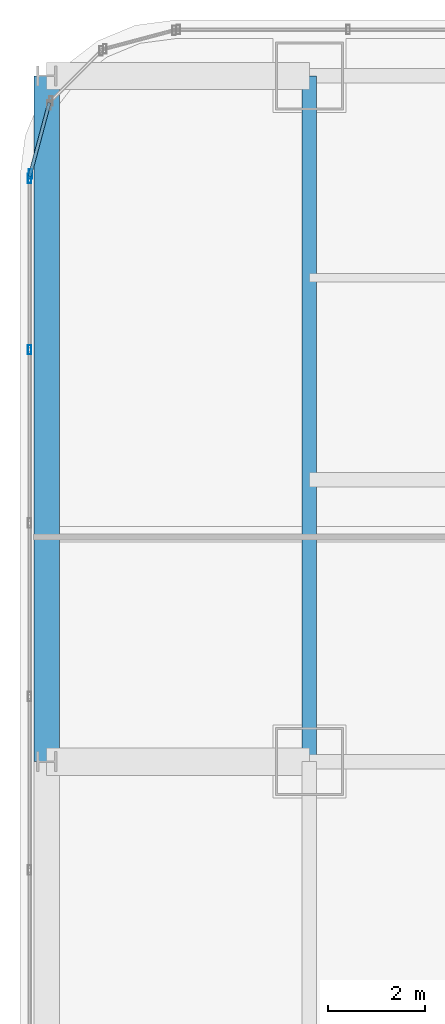
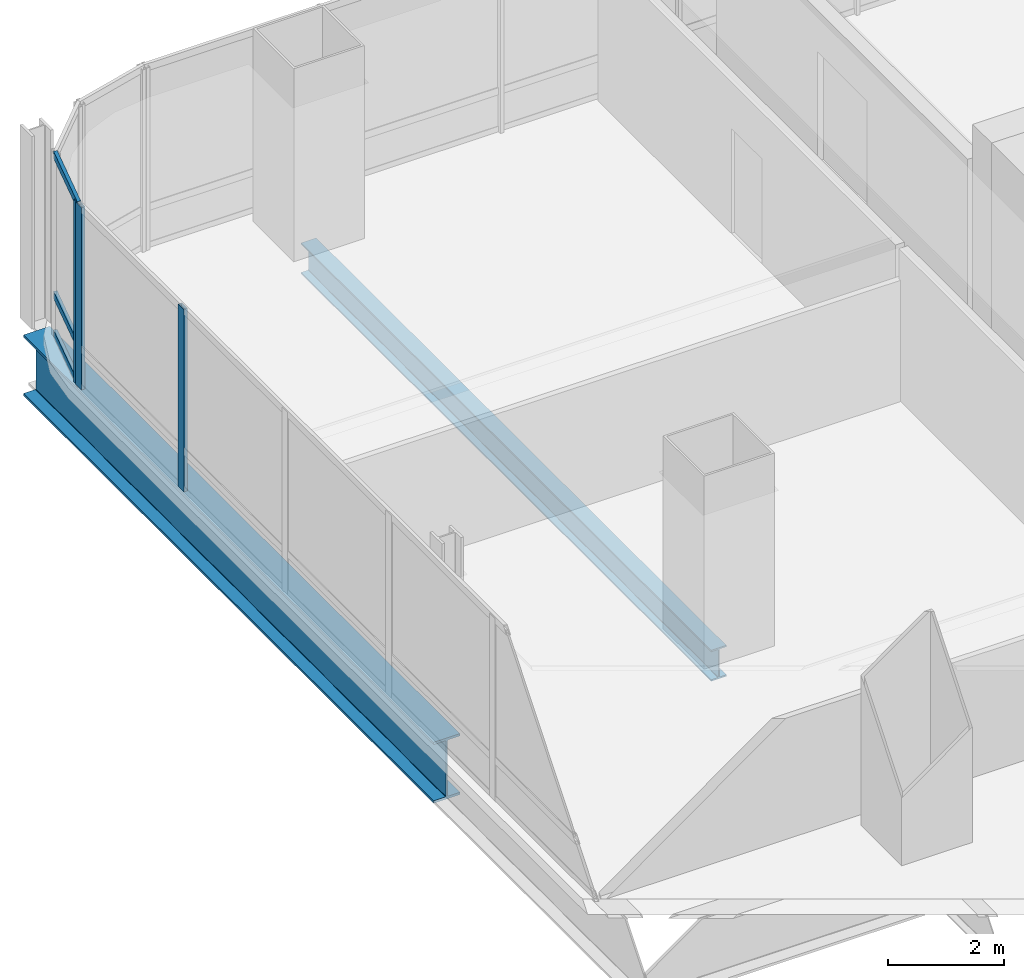
# One storey, part 18 of 36: 6 members, 2 beams, 2 elements without a shape of their own.
"""IFC4 building model written with IfcOpenShell, lengths in metres."""

from ifc_helpers import new_model, si_unit, direction, frame, origin, origin_2d, place, context, subcontext, project, spatial, hollow_rectangle, i_section, extrude, material, material_profile, profile_set, type_object, element, aggregate, save


model = new_model("IFC4")

# Units and contexts
model_context = context("Model", 3, precision=1e-05, world=origin(), true_north=direction((0.0, 1.0)))
body_context = subcontext(model_context, "Body", "Model", "MODEL_VIEW")
ifc_project = project(units=[si_unit("LENGTHUNIT", "METRE"), si_unit("AREAUNIT", "SQUARE_METRE"), si_unit("VOLUMEUNIT", "CUBIC_METRE"), si_unit("PLANEANGLEUNIT", "RADIAN"), si_unit("MASSUNIT", "GRAM", prefix="KILO")], contexts=[model_context])

# Site, building, storey
site_placement = place(None, origin())
site = spatial("IfcSite", under=ifc_project, at=site_placement, CompositionType="ELEMENT")
building_placement = place(site_placement, origin())
building = spatial("IfcBuilding", under=site, at=building_placement, Name="Punatoya Terracotta Tower", CompositionType="ELEMENT")
storey_placement = place(building_placement, frame((0.0, 0.0, 196.5)))
storey = spatial("IfcBuildingStorey", under=building, at=storey_placement, Name="L46", CompositionType="ELEMENT", Elevation=196.5)

# Beams
ifc_material_1 = material(Name="Steel S355", Category="steel")
ifc_material_profile_1 = material_profile(ifc_material_1, i_section(OverallWidth=0.300048828125, OverallDepth=0.64990234375, WebThickness=0.01611328125, FlangeThickness=0.031005859375, FilletRadius=0.01806640625, at=origin_2d()))
ifc_profile_set_1 = profile_set([ifc_material_profile_1], Name="Steel S355")
beam_type_1 = type_object("IfcBeamType", Name="BM-PRI-650", PredefinedType="BEAM", material=ifc_profile_set_1)
beam_1_placement = place(storey_placement, frame((-19.10009765625, 3.39990234375, -0.544921875), z_axis=(0.0, 1.0, 0.0), x_axis=(-1.0, 0.0, 0.0)))
element("IfcBeam", 1, at=beam_1_placement, inside=storey, type_object=beam_type_1, Name="BM-L46-RG-W3", PredefinedType="BEAM", context=body_context, shape_type="SweptSolid", body=[
    extrude(i_section(OverallWidth=0.300048828125, OverallDepth=0.64990234375, WebThickness=0.01611328125, FlangeThickness=0.031005859375, FilletRadius=0.01806640625, at=origin_2d()), origin(), (0.0, 0.0, 1.0), 14.10009765625),
])
ifc_material_2 = material(Name="Steel S460", Category="steel")
ifc_material_profile_2 = material_profile(ifc_material_2, i_section(OverallWidth=0.52001953125, OverallDepth=1.280029296875, WebThickness=0.031982421875, FlangeThickness=0.050048828125, FilletRadius=0.01806640625, at=origin_2d()))
ifc_profile_set_2 = profile_set([ifc_material_profile_2], Name="Steel S460")
beam_type_2 = type_object("IfcBeamType", Name="BM-TG-NCK", PredefinedType="BEAM", material=ifc_profile_set_2)
beam_2_placement = place(storey_placement, frame((-24.5, 3.39990234375, -0.860107421875), z_axis=(0.0, 1.0, 0.0), x_axis=(-1.0, 0.0, 0.0)))
element("IfcBeam", 2, at=beam_2_placement, inside=storey, type_object=beam_type_2, Name="BM-L46-PER-W3", PredefinedType="BEAM", context=body_context, shape_type="SweptSolid", body=[
    extrude(i_section(OverallWidth=0.52001953125, OverallDepth=1.280029296875, WebThickness=0.031982421875, FlangeThickness=0.050048828125, FilletRadius=0.01806640625, at=origin_2d()), origin(), (0.0, 0.0, 1.0), 14.10009765625),
])

# Curtain wall, member
ifc_material_3 = material(Name="Aluminium 6063-T6 + Double Low-E Glass", Category="aluminium")
curtain_wall_type = type_object("IfcCurtainWallType", Name="CW-M2", PredefinedType="NOTDEFINED", material=ifc_material_3)
curtain_wall_1_placement = place(storey_placement, origin())
curtain_wall_1 = element("IfcCurtainWall", 3, at=curtain_wall_1_placement, inside=storey, type_object=curtain_wall_type, Name="L46 Curtain Wall CW-L46-CRN12", PredefinedType="NOTDEFINED")
ifc_material_4 = material(Name="Aluminium 6063-T6", Category="aluminium")
ifc_material_profile_3 = material_profile(ifc_material_4, hollow_rectangle(XDim=0.072021484375, YDim=0.195068359375, WallThickness=0.00439453125, at=origin_2d()))
ifc_profile_set_3 = profile_set([ifc_material_profile_3], Name="Aluminium 6063-T6")
member_type_1 = type_object("IfcMemberType", Name="CW-MUL-M2", PredefinedType="MULLION", material=ifc_profile_set_3)
member_1_placement = place(storey_placement, frame((-24.83837890625, 15.48046875, 0.0), z_axis=(0.0, 0.0, 1.0), x_axis=(1.0, 0.0, 0.0)))
member_1 = element("IfcMember", 4, at=member_1_placement, type_object=member_type_1, Name="CW-L46-CRN12 Mullion 01", PredefinedType="MULLION", context=body_context, shape_type="SweptSolid", body=[
    extrude(hollow_rectangle(XDim=0.072021484375, YDim=0.195068359375, WallThickness=0.00439453125, at=origin_2d()), origin(), (0.0, 0.0, 1.0), 3.830078125),
])

# Curtain wall, members
curtain_wall_2_placement = place(storey_placement, origin())
curtain_wall_2 = element("IfcCurtainWall", 5, at=curtain_wall_2_placement, inside=storey, type_object=curtain_wall_type, Name="L46 Curtain Wall CW-L46-W13-1", PredefinedType="NOTDEFINED")
member_2_placement = place(storey_placement, frame((-24.85009765625, 15.391845703125, 0.0), z_axis=(0.0, 0.0, 1.0), x_axis=(1.0, 0.0, 0.0)))
member_2 = element("IfcMember", 6, at=member_2_placement, type_object=member_type_1, Name="CW-L46-W13-1 Mullion 00", PredefinedType="MULLION", context=body_context, shape_type="SweptSolid", body=[
    extrude(hollow_rectangle(XDim=0.072021484375, YDim=0.195068359375, WallThickness=0.00439453125, at=origin_2d()), origin(), (0.0, 0.0, 1.0), 3.830078125),
])
member_3_placement = place(storey_placement, frame((-24.85009765625, 11.869384765625, 0.0), z_axis=(0.0, 0.0, 1.0), x_axis=(1.0, 0.0, 0.0)))
member_3 = element("IfcMember", 7, at=member_3_placement, type_object=member_type_1, Name="CW-L46-W13-1 Mullion 01", PredefinedType="MULLION", context=body_context, shape_type="SweptSolid", body=[
    extrude(hollow_rectangle(XDim=0.072021484375, YDim=0.195068359375, WallThickness=0.00439453125, at=origin_2d()), origin(), (0.0, 0.0, 1.0), 3.830078125),
])
aggregate(curtain_wall_2, [member_2, member_3])

# Member
ifc_material_profile_4 = material_profile(ifc_material_4, hollow_rectangle(XDim=0.068115234375, YDim=0.14990234375, WallThickness=0.00390625, at=origin_2d()))
ifc_profile_set_4 = profile_set([ifc_material_profile_4], Name="Aluminium 6063-T6")
member_type_2 = type_object("IfcMemberType", Name="CW-TRN-TYP", PredefinedType="USERDEFINED", material=ifc_profile_set_4)
member_4_placement = place(storey_placement, frame((-24.446533203125, 16.94921875, 0.0400390625), z_axis=(-0.257847112249, -0.966185730957, 0.0), x_axis=(0.966185730957, -0.257847112249, 0.0)))
member_4 = element("IfcMember", 8, at=member_4_placement, type_object=member_type_2, Name="CW-L46-CRN12 Transom 1", ObjectType="TRANSOM", PredefinedType="USERDEFINED", context=body_context, shape_type="SweptSolid", body=[
    extrude(hollow_rectangle(XDim=0.068115234375, YDim=0.14990234375, WallThickness=0.00390625, at=origin_2d()), origin(), (0.0, 0.0, 1.0), 1.565185546875),
])

member_5_placement = place(storey_placement, frame((-24.446533203125, 16.94921875, 0.85009765625), z_axis=(-0.257847112249, -0.966185730957, 0.0), x_axis=(0.966185730957, -0.257847112249, 0.0)))
member_5 = element("IfcMember", 9, at=member_5_placement, type_object=member_type_2, Name="CW-L46-CRN12 Transom 2", ObjectType="TRANSOM", PredefinedType="USERDEFINED", context=body_context, shape_type="SweptSolid", body=[
    extrude(hollow_rectangle(XDim=0.068115234375, YDim=0.14990234375, WallThickness=0.00390625, at=origin_2d()), origin(), (0.0, 0.0, 1.0), 1.565185546875),
])

member_6_placement = place(storey_placement, frame((-24.446533203125, 16.94921875, 3.7900390625), z_axis=(-0.257847112249, -0.966185730957, 0.0), x_axis=(0.966185730957, -0.257847112249, 0.0)))
member_6 = element("IfcMember", 10, at=member_6_placement, type_object=member_type_2, Name="CW-L46-CRN12 Transom 3", ObjectType="TRANSOM", PredefinedType="USERDEFINED", context=body_context, shape_type="SweptSolid", body=[
    extrude(hollow_rectangle(XDim=0.068115234375, YDim=0.14990234375, WallThickness=0.00390625, at=origin_2d()), origin(), (0.0, 0.0, 1.0), 1.565185546875),
])

aggregate(curtain_wall_1, [member_1, member_4, member_5, member_6])

save(model, "model.ifc")
